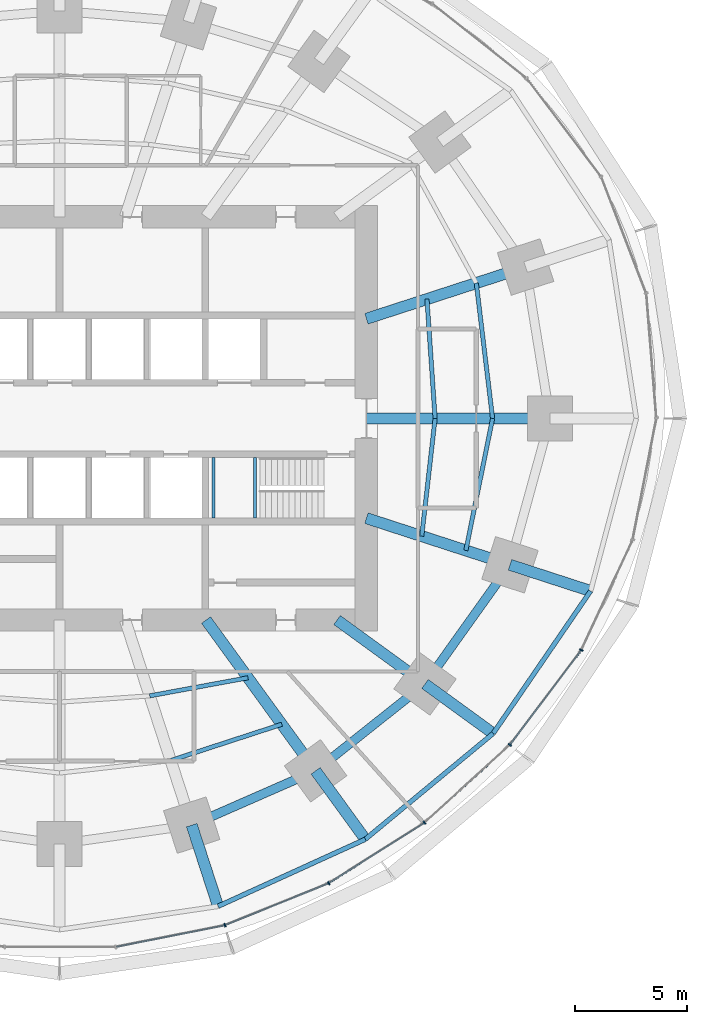
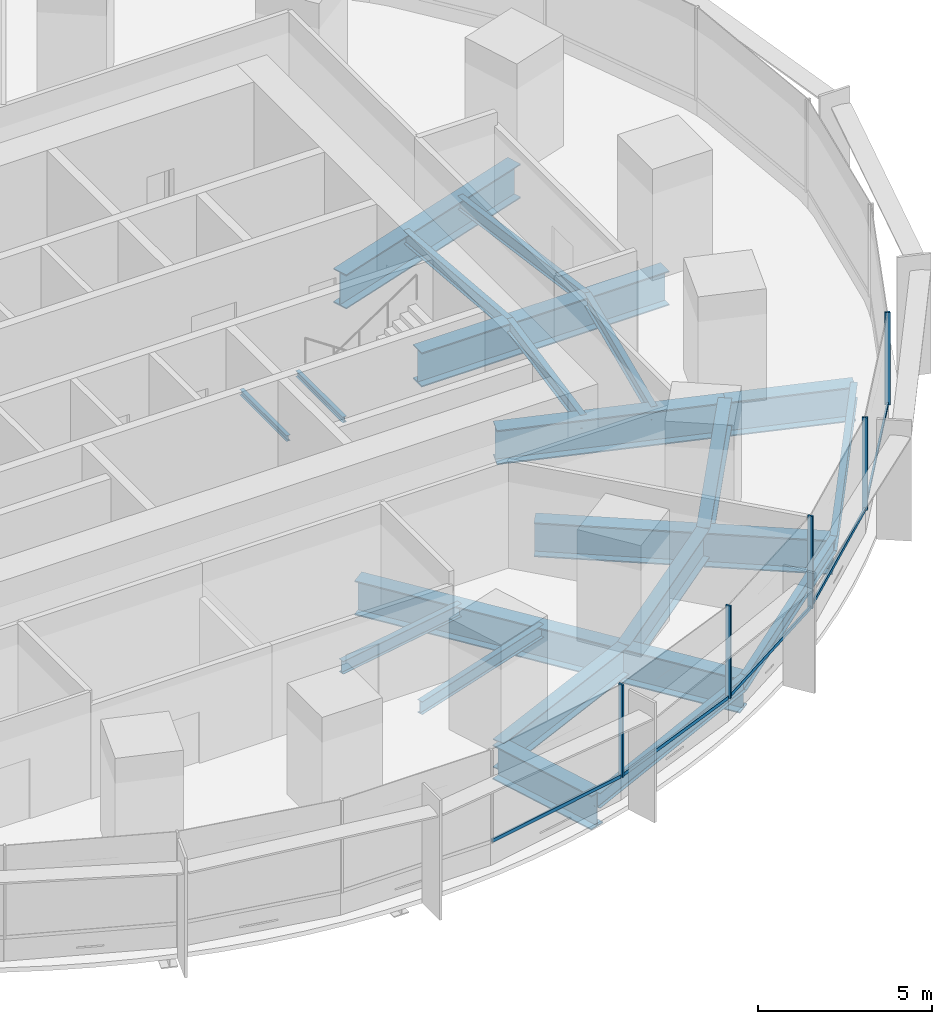
# One storey, part 5 of 15: 23 beams, 10 members, 2 elements without a shape of their own.
"""IFC4 building model written with IfcOpenShell, lengths in metres."""

from ifc_helpers import new_model, si_unit, direction, frame, origin, origin_2d, place, context, subcontext, project, spatial, rectangle, i_section, extrude, material, material_profile, profile_set, type_object, element, aggregate, save


model = new_model("IFC4")

# Units and contexts
model_context = context("Model", 3, precision=1e-05, world=origin(), true_north=direction((0.0, 1.0)))
body_context = subcontext(model_context, "Body", "Model", "MODEL_VIEW")
ifc_project = project(units=[si_unit("LENGTHUNIT", "METRE"), si_unit("AREAUNIT", "SQUARE_METRE"), si_unit("VOLUMEUNIT", "CUBIC_METRE"), si_unit("PLANEANGLEUNIT", "RADIAN"), si_unit("MASSUNIT", "GRAM", prefix="KILO")], contexts=[model_context])

# Site, building, storey
site_placement = place(None, origin())
site = spatial("IfcSite", under=ifc_project, at=site_placement, CompositionType="ELEMENT")
building_placement = place(site_placement, origin())
building = spatial("IfcBuilding", under=site, at=building_placement, Name="Marramba Exchange Tower", CompositionType="ELEMENT")
storey_placement = place(building_placement, frame((0.0, 0.0, 53.199951171875)))
storey = spatial("IfcBuildingStorey", under=building, at=storey_placement, Name="L12", CompositionType="ELEMENT", Elevation=53.199951171875)

# Beams
ifc_material_1 = material(Name="Steel AS/NZS 3679.2 grade 300", Category="steel")
ifc_material_profile_1 = material_profile(ifc_material_1, i_section(OverallWidth=0.5, OverallDepth=1.199951171875, WebThickness=0.01611328125, FlangeThickness=0.0400390625, at=origin_2d()), Name="1200WB455")
ifc_profile_set_1 = profile_set([ifc_material_profile_1], Name="Steel AS/NZS 3679.2 grade 300")
beam_type_1 = type_object("IfcBeamType", Name="Cantilever girder 1200WB455", PredefinedType="BEAM", material=ifc_profile_set_1)
beam_1_placement = place(storey_placement, frame((5.899658203125, -18.156982421875, -0.760009765625), z_axis=(0.309009272901, -0.951059025119, 0.0), x_axis=(0.951059025119, 0.309009272901, 0.0)))
element("IfcBeam", 1, at=beam_1_placement, inside=storey, type_object=beam_type_1, Name="Cantilever girder L12 TC17", PredefinedType="BEAM", context=body_context, shape_type="SweptSolid", body=[
    extrude(i_section(OverallWidth=0.5, OverallDepth=1.199951171875, WebThickness=0.01611328125, FlangeThickness=0.0400390625, at=origin_2d()), origin(), (0.0, 0.0, 1.0), 3.809814453125),
])
beam_2_placement = place(storey_placement, frame((11.430419921875, -15.732666015625, -0.760009765625), z_axis=(0.587787232741, -0.809015555491, 0.0), x_axis=(0.809015555491, 0.587787232741, 0.0)))
element("IfcBeam", 2, at=beam_2_placement, inside=storey, type_object=beam_type_1, Name="Cantilever girder L12 TC18", PredefinedType="BEAM", context=body_context, shape_type="SweptSolid", body=[
    extrude(i_section(OverallWidth=0.5, OverallDepth=1.199951171875, WebThickness=0.01611328125, FlangeThickness=0.0400390625, at=origin_2d()), origin(), (0.0, 0.0, 1.0), 3.7763671875),
])
beam_3_placement = place(storey_placement, frame((16.3154296875, -11.853759765625, -0.760009765625), z_axis=(0.809008346081, -0.587797155463, 0.0), x_axis=(0.587797155463, 0.809008346081, 0.0)))
element("IfcBeam", 3, at=beam_3_placement, inside=storey, type_object=beam_type_1, Name="Cantilever girder L12 TC19", PredefinedType="BEAM", context=body_context, shape_type="SweptSolid", body=[
    extrude(i_section(OverallWidth=0.5, OverallDepth=1.199951171875, WebThickness=0.01611328125, FlangeThickness=0.0400390625, at=origin_2d()), origin(), (0.0, 0.0, 1.0), 3.76025390625),
])
beam_4_placement = place(storey_placement, frame((20.109375, -6.533935546875, -0.760009765625), z_axis=(0.951048759501, -0.309040866314, 0.0), x_axis=(0.309040866314, 0.951048759501, 0.0)))
element("IfcBeam", 4, at=beam_4_placement, inside=storey, type_object=beam_type_1, Name="Cantilever girder L12 TC20", PredefinedType="BEAM", context=body_context, shape_type="SweptSolid", body=[
    extrude(i_section(OverallWidth=0.5, OverallDepth=1.199951171875, WebThickness=0.01611328125, FlangeThickness=0.0400390625, at=origin_2d()), origin(), (0.0, 0.0, 1.0), 3.78564453125),
])
ifc_material_2 = material(Name="Steel AS/NZS 3679.1 grade 300", Category="steel")
ifc_material_profile_2 = material_profile(ifc_material_2, i_section(OverallWidth=0.18994140625, OverallDepth=0.4541015625, WebThickness=0.008544921875, FlangeThickness=0.0126953125, FilletRadius=0.011474609375, at=origin_2d()), Name="460UB67.1")
ifc_profile_set_2 = profile_set([ifc_material_profile_2], Name="Steel AS/NZS 3679.1 grade 300")
beam_type_2 = type_object("IfcBeamType", Name="Floor joist 460UB67.1", PredefinedType="JOIST", material=ifc_profile_set_2)
beam_5_placement = place(storey_placement, frame((16.7666015625, 0.0, -0.386962890625), z_axis=(-0.068096259546, 0.99767875563, 0.0), x_axis=(-0.99767875563, -0.068096259546, 0.0)))
element("IfcBeam", 5, at=beam_5_placement, inside=storey, type_object=beam_type_2, Name="Joist L12 bay 01 row 1", PredefinedType="JOIST", context=body_context, shape_type="SweptSolid", body=[
    extrude(i_section(OverallWidth=0.18994140625, OverallDepth=0.4541015625, WebThickness=0.008544921875, FlangeThickness=0.0126953125, FilletRadius=0.011474609375, at=origin_2d()), origin(), (0.0, 0.0, 1.0), 5.342041015625),
])
beam_6_placement = place(storey_placement, frame((19.333251953125, 0.0, -0.386962890625), z_axis=(-0.119523078538, 0.992831422597, 0.0), x_axis=(-0.992831422597, -0.119523078538, 0.0)))
element("IfcBeam", 6, at=beam_6_placement, inside=storey, type_object=beam_type_2, Name="Joist L12 bay 01 row 2", PredefinedType="JOIST", context=body_context, shape_type="SweptSolid", body=[
    extrude(i_section(OverallWidth=0.18994140625, OverallDepth=0.4541015625, WebThickness=0.008544921875, FlangeThickness=0.0126953125, FilletRadius=0.011474609375, at=origin_2d()), origin(), (0.0, 0.0, 1.0), 6.089111328125),
])
beam_7_placement = place(storey_placement, frame((4.0244140625, -12.3857421875, -0.386962890625), z_axis=(0.983455754421, 0.181148500119, 0.0), x_axis=(-0.181148500119, 0.983455754421, 0.0)))
element("IfcBeam", 7, at=beam_7_placement, inside=storey, type_object=beam_type_2, Name="Joist L12 bay 17 row 1", PredefinedType="JOIST", context=body_context, shape_type="SweptSolid", body=[
    extrude(i_section(OverallWidth=0.18994140625, OverallDepth=0.4541015625, WebThickness=0.008544921875, FlangeThickness=0.0126953125, FilletRadius=0.011474609375, at=origin_2d()), origin(), (0.0, 0.0, 1.0), 4.4609375),
])
beam_8_placement = place(storey_placement, frame((4.9619140625, -15.271484375, -0.386962890625), z_axis=(0.950764024931, 0.309915744834, 0.0), x_axis=(-0.309915744834, 0.950764024931, 0.0)))
element("IfcBeam", 8, at=beam_8_placement, inside=storey, type_object=beam_type_2, Name="Joist L12 bay 17 row 2", PredefinedType="JOIST", context=body_context, shape_type="SweptSolid", body=[
    extrude(i_section(OverallWidth=0.18994140625, OverallDepth=0.4541015625, WebThickness=0.008544921875, FlangeThickness=0.0126953125, FilletRadius=0.011474609375, at=origin_2d()), origin(), (0.0, 0.0, 1.0), 5.2158203125),
])
beam_9_placement = place(storey_placement, frame((16.169677734375, -5.25390625, -0.386962890625), z_axis=(0.112888968594, 0.993607609054, 0.0), x_axis=(-0.993607609054, 0.112888968594, 0.0)))
element("IfcBeam", 9, at=beam_9_placement, inside=storey, type_object=beam_type_2, Name="Joist L12 bay 20 row 1", PredefinedType="JOIST", context=body_context, shape_type="SweptSolid", body=[
    extrude(i_section(OverallWidth=0.18994140625, OverallDepth=0.4541015625, WebThickness=0.008544921875, FlangeThickness=0.0126953125, FilletRadius=0.011474609375, at=origin_2d()), origin(), (0.0, 0.0, 1.0), 5.28759765625),
])
beam_10_placement = place(storey_placement, frame((18.1396484375, -5.893798828125, -0.386962890625), z_axis=(0.198489047047, 0.980103105904, 0.0), x_axis=(-0.980103105904, 0.198489047047, 0.0)))
element("IfcBeam", 10, at=beam_10_placement, inside=storey, type_object=beam_type_2, Name="Joist L12 bay 20 row 2", PredefinedType="JOIST", context=body_context, shape_type="SweptSolid", body=[
    extrude(i_section(OverallWidth=0.18994140625, OverallDepth=0.4541015625, WebThickness=0.008544921875, FlangeThickness=0.0126953125, FilletRadius=0.011474609375, at=origin_2d()), origin(), (0.0, 0.0, 1.0), 6.013427734375),
])
ifc_material_profile_3 = material_profile(ifc_material_1, i_section(OverallWidth=0.5, OverallDepth=1.199951171875, WebThickness=0.01611328125, FlangeThickness=0.0400390625, at=origin_2d()), Name="1200WB455")
ifc_profile_set_3 = profile_set([ifc_material_profile_3], Name="Steel AS/NZS 3679.2 grade 300")
beam_type_3 = type_object("IfcBeamType", Name="Radial girder 1200WB455", PredefinedType="BEAM", material=ifc_profile_set_3)
beam_11_placement = place(storey_placement, frame((13.699951171875, 0.0, -0.760009765625), z_axis=(1.0, 0.0, 0.0), x_axis=(0.0, 1.0, 0.0)))
element("IfcBeam", 11, at=beam_11_placement, inside=storey, type_object=beam_type_3, Name="Radial girder L12 TC01", PredefinedType="BEAM", context=body_context, shape_type="SweptSolid", body=[
    extrude(i_section(OverallWidth=0.5, OverallDepth=1.199951171875, WebThickness=0.01611328125, FlangeThickness=0.0400390625, at=origin_2d()), origin(), (0.0, 0.0, 1.0), 8.199951171875),
])
beam_12_placement = place(storey_placement, frame((13.699951171875, 4.451416015625, -0.760009765625), z_axis=(0.951059990189, 0.309006302624, 0.0), x_axis=(-0.309006302624, 0.951059990189, 0.0)))
element("IfcBeam", 12, at=beam_12_placement, inside=storey, type_object=beam_type_3, Name="Radial girder L12 TC02", PredefinedType="BEAM", context=body_context, shape_type="SweptSolid", body=[
    extrude(i_section(OverallWidth=0.5, OverallDepth=1.199951171875, WebThickness=0.01611328125, FlangeThickness=0.0400390625, at=origin_2d()), origin(), (0.0, 0.0, 1.0), 7.47412109375),
])
beam_13_placement = place(storey_placement, frame((6.538818359375, -9.0, -0.760009765625), z_axis=(0.587787877172, -0.809015087282, 0.0), x_axis=(0.809015087282, 0.587787877172, 0.0)))
element("IfcBeam", 13, at=beam_13_placement, inside=storey, type_object=beam_type_3, Name="Radial girder L12 TC18", PredefinedType="BEAM", context=body_context, shape_type="SweptSolid", body=[
    extrude(i_section(OverallWidth=0.5, OverallDepth=1.199951171875, WebThickness=0.01611328125, FlangeThickness=0.0400390625, at=origin_2d()), origin(), (0.0, 0.0, 1.0), 8.322021484375),
])
beam_14_placement = place(storey_placement, frame((12.387451171875, -9.0, -0.760009765625), z_axis=(0.809025189606, -0.58777397236, 0.0), x_axis=(0.58777397236, 0.809025189606, 0.0)))
element("IfcBeam", 14, at=beam_14_placement, inside=storey, type_object=beam_type_3, Name="Radial girder L12 TC19", PredefinedType="BEAM", context=body_context, shape_type="SweptSolid", body=[
    extrude(i_section(OverallWidth=0.5, OverallDepth=1.199951171875, WebThickness=0.01611328125, FlangeThickness=0.0400390625, at=origin_2d()), origin(), (0.0, 0.0, 1.0), 4.855224609375),
])
beam_15_placement = place(storey_placement, frame((13.699951171875, -4.451416015625, -0.760009765625), z_axis=(0.951057759669, -0.309013167637, 0.0), x_axis=(0.309013167637, 0.951057759669, 0.0)))
element("IfcBeam", 15, at=beam_15_placement, inside=storey, type_object=beam_type_3, Name="Radial girder L12 TC20", PredefinedType="BEAM", context=body_context, shape_type="SweptSolid", body=[
    extrude(i_section(OverallWidth=0.5, OverallDepth=1.199951171875, WebThickness=0.01611328125, FlangeThickness=0.0400390625, at=origin_2d()), origin(), (0.0, 0.0, 1.0), 6.7392578125),
])
ifc_material_profile_4 = material_profile(ifc_material_1, i_section(OverallWidth=0.39990234375, OverallDepth=1.0, WebThickness=0.01611328125, FlangeThickness=0.031982421875, at=origin_2d()), Name="1000WB322")
ifc_profile_set_4 = profile_set([ifc_material_profile_4], Name="Steel AS/NZS 3679.2 grade 300")
beam_type_4 = type_object("IfcBeamType", Name="Ring beam 1000WB322", PredefinedType="SPANDREL", material=ifc_profile_set_4)
beam_16_placement = place(storey_placement, frame((5.899658203125, -18.156982421875, -0.659912109375), z_axis=(0.915876892158, 0.4014592363, 0.0), x_axis=(-0.4014592363, 0.915876892158, 0.0)))
element("IfcBeam", 16, at=beam_16_placement, inside=storey, type_object=beam_type_4, Name="Ring beam L12 TC17-TC18", PredefinedType="SPANDREL", context=body_context, shape_type="SweptSolid", body=[
    extrude(i_section(OverallWidth=0.39990234375, OverallDepth=1.0, WebThickness=0.01611328125, FlangeThickness=0.031982421875, at=origin_2d()), origin(), (0.0, 0.0, 1.0), 6.038818359375),
])
beam_17_placement = place(storey_placement, frame((11.430419921875, -15.732666015625, -0.659912109375), z_axis=(0.783139438128, 0.621846138887, 0.0), x_axis=(-0.621846138887, 0.783139438128, 0.0)))
element("IfcBeam", 17, at=beam_17_placement, inside=storey, type_object=beam_type_4, Name="Ring beam L12 TC18-TC19", PredefinedType="SPANDREL", context=body_context, shape_type="SweptSolid", body=[
    extrude(i_section(OverallWidth=0.39990234375, OverallDepth=1.0, WebThickness=0.01611328125, FlangeThickness=0.031982421875, at=origin_2d()), origin(), (0.0, 0.0, 1.0), 6.23779296875),
])
beam_18_placement = place(storey_placement, frame((16.3154296875, -11.853759765625, -0.659912109375), z_axis=(0.580637181111, 0.814162430914, 0.0), x_axis=(-0.814162430914, 0.580637181111, 0.0)))
element("IfcBeam", 18, at=beam_18_placement, inside=storey, type_object=beam_type_4, Name="Ring beam L12 TC19-TC20", PredefinedType="SPANDREL", context=body_context, shape_type="SweptSolid", body=[
    extrude(i_section(OverallWidth=0.39990234375, OverallDepth=1.0, WebThickness=0.01611328125, FlangeThickness=0.031982421875, at=origin_2d()), origin(), (0.0, 0.0, 1.0), 6.5341796875),
])
ifc_material_profile_5 = material_profile(ifc_material_2, i_section(OverallWidth=0.208984375, OverallDepth=0.528076171875, WebThickness=0.009521484375, FlangeThickness=0.01318359375, FilletRadius=0.013916015625, at=origin_2d()), Name="530UB82.0")
ifc_profile_set_5 = profile_set([ifc_material_profile_5], Name="Steel AS/NZS 3679.1 grade 300")
beam_type_5 = type_object("IfcBeamType", Name="Slab edge beam 530UB82.0", PredefinedType="SPANDREL", material=ifc_profile_set_5)
beam_19_placement = place(storey_placement, frame((7.076904296875, -21.7802734375, -0.424072265625), z_axis=(0.910126690081, 0.414330071324, 0.0), x_axis=(-0.414330071324, 0.910126690081, 0.0)))
element("IfcBeam", 19, at=beam_19_placement, inside=storey, type_object=beam_type_5, Name="Slab edge beam L12 TC17-TC18", PredefinedType="SPANDREL", context=body_context, shape_type="SweptSolid", body=[
    extrude(i_section(OverallWidth=0.208984375, OverallDepth=0.528076171875, WebThickness=0.009521484375, FlangeThickness=0.01318359375, FilletRadius=0.013916015625, at=origin_2d()), origin(), (0.0, 0.0, 1.0), 7.222412109375),
])
beam_20_placement = place(storey_placement, frame((13.650146484375, -18.787841796875, -0.424072265625), z_axis=(0.770353575372, 0.637616945283, 0.0), x_axis=(-0.637616945283, 0.770353575372, 0.0)))
element("IfcBeam", 20, at=beam_20_placement, inside=storey, type_object=beam_type_5, Name="Slab edge beam L12 TC18-TC19", PredefinedType="SPANDREL", context=body_context, shape_type="SweptSolid", body=[
    extrude(i_section(OverallWidth=0.208984375, OverallDepth=0.528076171875, WebThickness=0.009521484375, FlangeThickness=0.01318359375, FilletRadius=0.013916015625, at=origin_2d()), origin(), (0.0, 0.0, 1.0), 7.40869140625),
])
beam_21_placement = place(storey_placement, frame((19.357421875, -14.06396484375, -0.424072265625), z_axis=(0.564740697285, 0.82526840775, 0.0), x_axis=(-0.82526840775, 0.564740697285, 0.0)))
element("IfcBeam", 21, at=beam_21_placement, inside=storey, type_object=beam_type_5, Name="Slab edge beam L12 TC19-TC20", PredefinedType="SPANDREL", context=body_context, shape_type="SweptSolid", body=[
    extrude(i_section(OverallWidth=0.208984375, OverallDepth=0.528076171875, WebThickness=0.009521484375, FlangeThickness=0.01318359375, FilletRadius=0.013916015625, at=origin_2d()), origin(), (0.0, 0.0, 1.0), 7.706787109375),
])
ifc_material_profile_6 = material_profile(ifc_material_2, i_section(OverallWidth=0.133056640625, OverallDepth=0.202880859375, WebThickness=0.005859375, FlangeThickness=0.0078125, FilletRadius=0.0087890625, at=origin_2d()), Name="200UB25.4")
ifc_profile_set_6 = profile_set([ifc_material_profile_6], Name="Steel AS/NZS 3679.1 grade 300")
beam_type_6 = type_object("IfcBeamType", Name="Stair landing beam 200UB25.4", PredefinedType="BEAM", material=ifc_profile_set_6)
for number, where, z_axis, x_axis, name in (
    (22, (6.866455078125, -4.449951171875, 1.798583984375), (0.0, 1.0, 0.0), (-1.0, 0.0, 0.0), "Stair landing beam SLB1 ST2 L12 1"),
    (23, (8.723388671875, -4.449951171875, 1.798583984375), (0.0, 1.0, 0.0), (-1.0, 0.0, 0.0), "Stair landing beam SLB1 ST2 L12 2"),
):
    element("IfcBeam", number, at=place(storey_placement, frame(where, z_axis=z_axis, x_axis=x_axis)), inside=storey, type_object=beam_type_6, Name=name, PredefinedType="BEAM", context=body_context, shape_type="SweptSolid", body=[
        extrude(i_section(OverallWidth=0.133056640625, OverallDepth=0.202880859375, WebThickness=0.005859375, FlangeThickness=0.0078125, FilletRadius=0.0087890625, at=origin_2d()), origin(), (0.0, 0.0, 1.0), 2.699951171875),
    ])

# Curtain wall, member
ifc_material_3 = material(Name="Aluminium framing, bronze anodised", Category="aluminium")
curtain_wall_type = type_object("IfcCurtainWallType", Name="Trading floor ribbon curtain wall", PredefinedType="USERDEFINED", material=ifc_material_3)
curtain_wall_1_placement = place(storey_placement, origin())
curtain_wall_1 = element("IfcCurtainWall", 24, at=curtain_wall_1_placement, inside=storey, type_object=curtain_wall_type, Name="Curtain wall CW3 L12 F21-F25", ObjectType="RIBBON CURTAIN WALL", PredefinedType="USERDEFINED")
ifc_material_4 = material(Name="Aluminium mullion, bronze anodised", Category="aluminium")
ifc_material_profile_7 = material_profile(ifc_material_4, rectangle(XDim=0.159912109375, YDim=0.06005859375, at=origin_2d()), Name="CW3 mullion 60x160")
ifc_profile_set_7 = profile_set([ifc_material_profile_7], Name="Aluminium mullion, bronze anodised")
member_type_1 = type_object("IfcMemberType", Name="Trading floor ribbon curtain wall mullion", PredefinedType="MULLION", material=ifc_profile_set_7)
member_1_placement = place(storey_placement, frame((7.3828125, -22.625, 0.800048828125), z_axis=(0.0, 0.0, 1.0), x_axis=(-0.374218219325, 0.927340673283, 0.0)))
member_1 = element("IfcMember", 25, at=member_1_placement, type_object=member_type_1, Name="CW3 mullion 1", PredefinedType="MULLION", context=body_context, shape_type="SweptSolid", body=[
    extrude(rectangle(XDim=0.159912109375, YDim=0.06005859375, at=origin_2d()), origin(), (0.0, 0.0, 1.0), 3.239990234375),
])

# Curtain wall, members
curtain_wall_2_placement = place(storey_placement, origin())
curtain_wall_2 = element("IfcCurtainWall", 26, at=curtain_wall_2_placement, inside=storey, type_object=curtain_wall_type, Name="Curtain wall CW3 L12 F26-F30", ObjectType="RIBBON CURTAIN WALL", PredefinedType="USERDEFINED")
member_2_placement = place(storey_placement, frame((12.0146484375, -20.75, 0.800048828125), z_axis=(0.0, 0.0, 1.0), x_axis=(-0.533514646612, 0.845790826298, 0.0)))
member_2 = element("IfcMember", 27, at=member_2_placement, type_object=member_type_1, Name="CW3 mullion 1", PredefinedType="MULLION", context=body_context, shape_type="SweptSolid", body=[
    extrude(rectangle(XDim=0.159912109375, YDim=0.06005859375, at=origin_2d()), origin(), (0.0, 0.0, 1.0), 3.239990234375),
])
member_3_placement = place(storey_placement, frame((16.2900390625, -18.047119140625, 0.800048828125), z_axis=(0.0, 0.0, 1.0), x_axis=(-0.673058133441, 0.739589581463, 0.0)))
member_3 = element("IfcMember", 28, at=member_3_placement, type_object=member_type_1, Name="CW3 mullion 1", PredefinedType="MULLION", context=body_context, shape_type="SweptSolid", body=[
    extrude(rectangle(XDim=0.159912109375, YDim=0.06005859375, at=origin_2d()), origin(), (0.0, 0.0, 1.0), 3.239990234375),
])
member_4_placement = place(storey_placement, frame((20.103515625, -14.569091796875, 0.800048828125), z_axis=(0.0, 0.0, 1.0), x_axis=(-0.797710591138, 0.603040473588, 0.0)))
member_4 = element("IfcMember", 29, at=member_4_placement, type_object=member_type_1, Name="CW3 mullion 1", PredefinedType="MULLION", context=body_context, shape_type="SweptSolid", body=[
    extrude(rectangle(XDim=0.159912109375, YDim=0.06005859375, at=origin_2d()), origin(), (0.0, 0.0, 1.0), 3.239990234375),
])
member_5_placement = place(storey_placement, frame((23.2939453125, -10.33837890625, 0.800048828125), z_axis=(0.0, 0.0, 1.0), x_axis=(-0.905906758768, 0.423477206492, 0.0)))
member_5 = element("IfcMember", 30, at=member_5_placement, type_object=member_type_1, Name="CW3 mullion 1", PredefinedType="MULLION", context=body_context, shape_type="SweptSolid", body=[
    extrude(rectangle(XDim=0.159912109375, YDim=0.06005859375, at=origin_2d()), origin(), (0.0, 0.0, 1.0), 3.239990234375),
])

# Member
ifc_material_5 = material(Name="Aluminium transom, bronze anodised", Category="aluminium")
ifc_material_profile_8 = material_profile(ifc_material_5, rectangle(XDim=0.06005859375, YDim=0.1201171875, at=origin_2d()), Name="CW3 transom 60x120")
ifc_profile_set_8 = profile_set([ifc_material_profile_8], Name="Aluminium transom, bronze anodised")
member_type_2 = type_object("IfcMemberType", Name="Trading floor ribbon curtain wall transom", PredefinedType="USERDEFINED", material=ifc_profile_set_8)
member_6_placement = place(storey_placement, frame((2.539306640625, -23.58837890625, 0.830078125), z_axis=(0.981008707181, 0.193963698758, 0.0), x_axis=(-0.193963698758, 0.981008707181, 0.0)))
member_6 = element("IfcMember", 31, at=member_6_placement, type_object=member_type_2, Name="CW3 sill transom", ObjectType="TRANSOM", PredefinedType="USERDEFINED", context=body_context, shape_type="SweptSolid", body=[
    extrude(rectangle(XDim=0.06005859375, YDim=0.1201171875, at=origin_2d()), origin(), (0.0, 0.0, 1.0), 4.908935546875),
])

member_7_placement = place(storey_placement, frame((7.41064453125, -22.61376953125, 0.830078125), z_axis=(0.927340197166, 0.374219399176, 0.0), x_axis=(-0.374219399176, 0.927340197166, 0.0)))
member_7 = element("IfcMember", 32, at=member_7_placement, type_object=member_type_2, Name="CW3 sill transom", ObjectType="TRANSOM", PredefinedType="USERDEFINED", context=body_context, shape_type="SweptSolid", body=[
    extrude(rectangle(XDim=0.06005859375, YDim=0.1201171875, at=origin_2d()), origin(), (0.0, 0.0, 1.0), 4.937255859375),
])

aggregate(curtain_wall_1, [member_6, member_1, member_7])

member_8_placement = place(storey_placement, frame((12.0400390625, -20.734130859375, 0.830078125), z_axis=(0.845776602594, 0.533537195053, 0.0), x_axis=(-0.533537195053, 0.845776602594, 0.0)))
member_8 = element("IfcMember", 33, at=member_8_placement, type_object=member_type_2, Name="CW3 sill transom", ObjectType="TRANSOM", PredefinedType="USERDEFINED", context=body_context, shape_type="SweptSolid", body=[
    extrude(rectangle(XDim=0.06005859375, YDim=0.1201171875, at=origin_2d()), origin(), (0.0, 0.0, 1.0), 4.998779296875),
])

member_9_placement = place(storey_placement, frame((16.312255859375, -18.02685546875, 0.830078125), z_axis=(0.739582688456, 0.673065707741, 0.0), x_axis=(-0.673065707741, 0.739582688456, 0.0)))
member_9 = element("IfcMember", 34, at=member_9_placement, type_object=member_type_2, Name="CW3 sill transom", ObjectType="TRANSOM", PredefinedType="USERDEFINED", context=body_context, shape_type="SweptSolid", body=[
    extrude(rectangle(XDim=0.06005859375, YDim=0.1201171875, at=origin_2d()), origin(), (0.0, 0.0, 1.0), 5.101806640625),
])

member_10_placement = place(storey_placement, frame((20.12158203125, -14.545166015625, 0.830078125), z_axis=(0.603037409419, 0.797712907531, 0.0), x_axis=(-0.797712907531, 0.603037409419, 0.0)))
member_10 = element("IfcMember", 35, at=member_10_placement, type_object=member_type_2, Name="CW3 sill transom", ObjectType="TRANSOM", PredefinedType="USERDEFINED", context=body_context, shape_type="SweptSolid", body=[
    extrude(rectangle(XDim=0.06005859375, YDim=0.1201171875, at=origin_2d()), origin(), (0.0, 0.0, 1.0), 5.239501953125),
])

aggregate(curtain_wall_2, [member_2, member_8, member_3, member_9, member_4, member_10, member_5])

save(model, "model.ifc")
